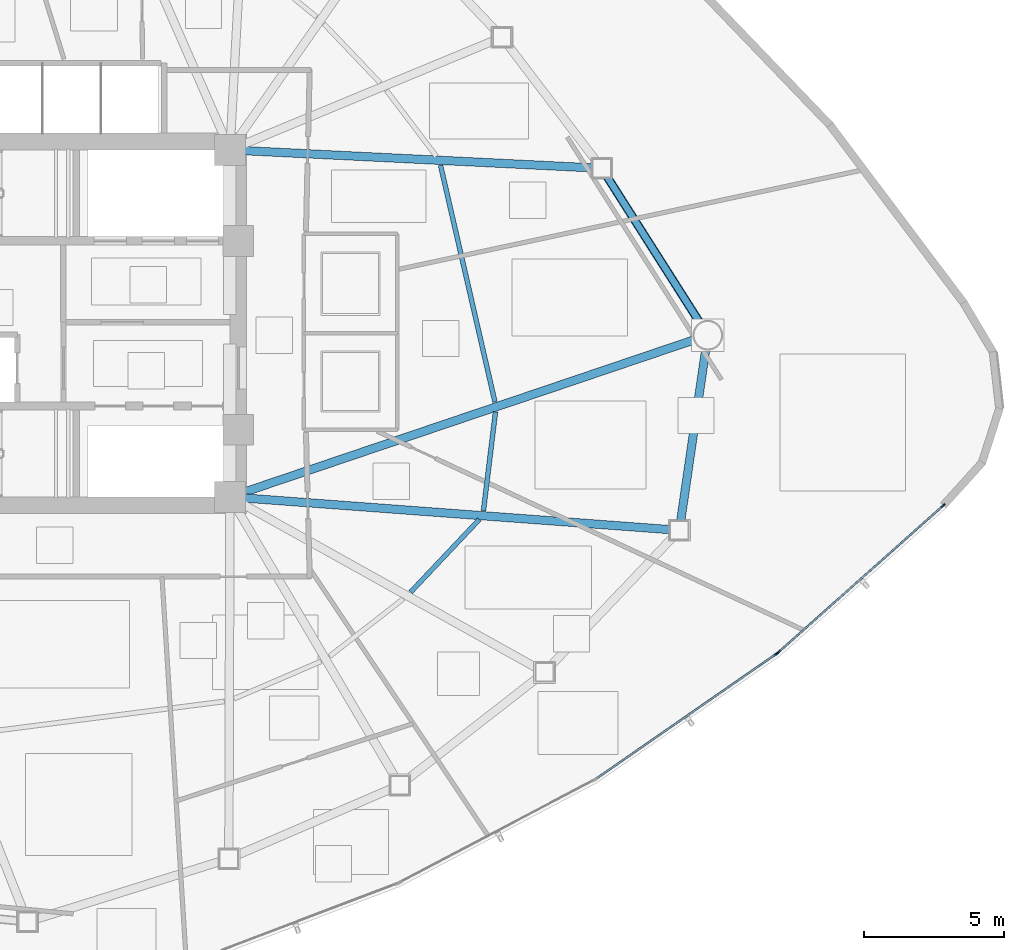
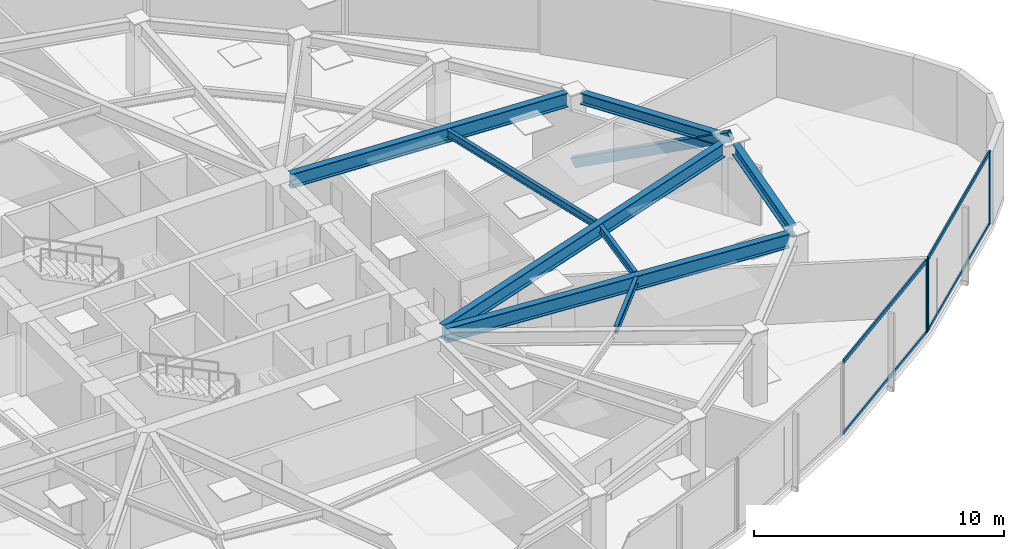
# One storey, part 6 of 17: 8 beams, 8 members, 2 elements without a shape of their own.
"""IFC4 building model written with IfcOpenShell, lengths in metres."""

from ifc_helpers import new_model, si_unit, direction, frame, origin, origin_2d, place, context, subcontext, project, spatial, hollow_rectangle, i_section, extrude, source, transform, mapped, material, layer, layer_set, material_profile, profile_set, type_object, type_shapes, element, aggregate, save


model = new_model("IFC4")

# Units and contexts
model_context = context("Model", 3, precision=1e-05, world=origin(), true_north=direction((0.0, 1.0)))
body_context = subcontext(model_context, "Body", "Model", "MODEL_VIEW")
ifc_project = project(units=[si_unit("LENGTHUNIT", "METRE"), si_unit("AREAUNIT", "SQUARE_METRE"), si_unit("VOLUMEUNIT", "CUBIC_METRE"), si_unit("PLANEANGLEUNIT", "RADIAN"), si_unit("MASSUNIT", "GRAM", prefix="KILO")], contexts=[model_context])

# Site, building, storey
site_placement = place(None, origin())
site = spatial("IfcSite", under=ifc_project, at=site_placement, CompositionType="ELEMENT")
building_placement = place(site_placement, origin())
building = spatial("IfcBuilding", under=site, at=building_placement, Name="Tavelor Broadcast Tower", CompositionType="ELEMENT")
storey_placement = place(building_placement, frame((0.0, 0.0, 134.85009765625)))
storey = spatial("IfcBuildingStorey", under=building, at=storey_placement, Name="L31", CompositionType="ELEMENT", Elevation=134.85009765625)

# Beams
ifc_material_1 = material(Name="Steel S355", Category="steel")
ifc_material_profile_1 = material_profile(ifc_material_1, i_section(OverallWidth=0.169921875, OverallDepth=0.360107421875, WebThickness=0.008056640625, FlangeThickness=0.0126953125, at=origin_2d()), Name="IPE 360")
ifc_profile_set_1 = profile_set([ifc_material_profile_1], Name="Steel S355")
beam_type_1 = type_object("IfcBeamType", Name="Composite Floor Joist T3 IPE 360", PredefinedType="JOIST", material=ifc_profile_set_1)
beam_1_placement = place(storey_placement, frame((63.05859375, 35.39990234375, 3.369873046875), z_axis=(0.686806065531, 0.726840717317, 0.0), x_axis=(-0.726840717317, 0.686806065531, 0.0)))
element("IfcBeam", 1, at=beam_1_placement, inside=storey, type_object=beam_type_1, Name="L31 Secondary Composite Floor Joist 11", PredefinedType="JOIST", context=body_context, shape_type="SweptSolid", body=[
    extrude(i_section(OverallWidth=0.169921875, OverallDepth=0.360107421875, WebThickness=0.008056640625, FlangeThickness=0.0126953125, at=origin_2d()), origin(), (0.0, 0.0, 1.0), 3.573486328125),
])
beam_2_placement = place(storey_placement, frame((65.6591796875, 38.30859375, 3.369873046875), z_axis=(0.120874566199, 0.992667788964, 0.0), x_axis=(-0.992667788964, 0.120874566199, 0.0)))
element("IfcBeam", 2, at=beam_2_placement, inside=storey, type_object=beam_type_1, Name="L31 Secondary Composite Floor Joist 12", PredefinedType="JOIST", context=body_context, shape_type="SweptSolid", body=[
    extrude(i_section(OverallWidth=0.169921875, OverallDepth=0.360107421875, WebThickness=0.008056640625, FlangeThickness=0.0126953125, at=origin_2d()), origin(), (0.0, 0.0, 1.0), 3.556884765625),
])
beam_3_placement = place(storey_placement, frame((66.0703125, 42.1953125, 3.369873046875), z_axis=(-0.224119909946, 0.974561576282, 0.0), x_axis=(-0.974561576282, -0.224119909946, 0.0)))
element("IfcBeam", 3, at=beam_3_placement, inside=storey, type_object=beam_type_1, Name="L31 Secondary Composite Floor Joist 13", PredefinedType="JOIST", context=body_context, shape_type="SweptSolid", body=[
    extrude(i_section(OverallWidth=0.169921875, OverallDepth=0.360107421875, WebThickness=0.008056640625, FlangeThickness=0.0126953125, at=origin_2d()), origin(), (0.0, 0.0, 1.0), 8.6796875),
])
ifc_material_profile_2 = material_profile(ifc_material_1, i_section(OverallWidth=0.300048828125, OverallDepth=0.550048828125, WebThickness=0.014892578125, FlangeThickness=0.029052734375, at=origin_2d()), Name="HEB 550")
ifc_profile_set_2 = profile_set([ifc_material_profile_2], Name="Steel S355")
beam_type_2 = type_object("IfcBeamType", Name="Perimeter Spandrel Beam T3 HEB 550", PredefinedType="SPANDREL", material=ifc_profile_set_2)
beam_4_placement = place(storey_placement, frame((72.707763671875, 37.93994140625, 3.27490234375), z_axis=(0.144294035731, 0.989534856007, 0.0), x_axis=(-0.989534856007, 0.144294035731, 0.0)))
element("IfcBeam", 4, at=beam_4_placement, inside=storey, type_object=beam_type_2, Name="L31 Framed-Tube Ring Spandrel 12", PredefinedType="SPANDREL", context=body_context, shape_type="SweptSolid", body=[
    extrude(i_section(OverallWidth=0.300048828125, OverallDepth=0.550048828125, WebThickness=0.014892578125, FlangeThickness=0.029052734375, at=origin_2d()), origin(), (0.0, 0.0, 1.0), 6.19775390625),
])
beam_5_placement = place(storey_placement, frame((73.4013671875, 45.01171875, 3.27490234375), z_axis=(-0.536283466807, 0.844037939449, 0.0), x_axis=(-0.844037939449, -0.536283466807, 0.0)))
element("IfcBeam", 5, at=beam_5_placement, inside=storey, type_object=beam_type_2, Name="L31 Framed-Tube Ring Spandrel 13", PredefinedType="SPANDREL", context=body_context, shape_type="SweptSolid", body=[
    extrude(i_section(OverallWidth=0.300048828125, OverallDepth=0.550048828125, WebThickness=0.014892578125, FlangeThickness=0.029052734375, at=origin_2d()), origin(), (0.0, 0.0, 1.0), 6.21875),
])

# Member
ifc_material_profile_3 = material_profile(ifc_material_1, hollow_rectangle(XDim=0.25, YDim=0.449951171875, WallThickness=0.02001953125, at=origin_2d()), Name="RHS 450x250x20")
ifc_profile_set_3 = profile_set([ifc_material_profile_3], Name="Steel S355")
member_type_1 = type_object("IfcMemberType", Name="Perimeter Tube Brace T3 RHS 450x250x20", PredefinedType="BRACE", material=ifc_profile_set_3)
member_1_placement = place(storey_placement, frame((69.885986328125, 50.544189453125, 0.0), z_axis=(0.479245396229, -0.754215683798, 0.448868079179), x_axis=(0.844021198089, 0.536309814544, 0.0)))
element("IfcMember", 6, at=member_1_placement, inside=storey, type_object=member_type_1, Name="L31 Corner Tube Diagonal Brace 3", PredefinedType="BRACE", context=body_context, shape_type="SweptSolid", body=[
    extrude(hollow_rectangle(XDim=0.25, YDim=0.449951171875, WallThickness=0.02001953125, at=origin_2d()), origin(), (0.0, 0.0, 1.0), 7.908447265625),
])

# Beams
ifc_material_profile_4 = material_profile(ifc_material_1, i_section(OverallWidth=0.300048828125, OverallDepth=0.68994140625, WebThickness=0.014404296875, FlangeThickness=0.027099609375, at=origin_2d()), Name="HEA 700")
ifc_profile_set_4 = profile_set([ifc_material_profile_4], Name="Steel S355")
beam_type_3 = type_object("IfcBeamType", Name="Radial Floor Girder T3 HEA 700", PredefinedType="BEAM", material=ifc_profile_set_4)
beam_6_placement = place(storey_placement, frame((57.126708984375, 38.760986328125, 3.204833984375), z_axis=(0.997253617312, -0.074062289721, 0.0), x_axis=(0.074062289721, 0.997253617312, 0.0)))
element("IfcBeam", 7, at=beam_6_placement, inside=storey, type_object=beam_type_3, Name="L31 Radial Primary Floor Girder 12", PredefinedType="BEAM", context=body_context, shape_type="SweptSolid", body=[
    extrude(i_section(OverallWidth=0.300048828125, OverallDepth=0.68994140625, WebThickness=0.014404296875, FlangeThickness=0.027099609375, at=origin_2d()), origin(), (0.0, 0.0, 1.0), 15.2392578125),
])
beam_7_placement = place(storey_placement, frame((57.10009765625, 38.96923828125, 3.204833984375), z_axis=(0.947217379582, 0.32059200835, 0.0), x_axis=(-0.32059200835, 0.947217379582, 0.0)))
element("IfcBeam", 8, at=beam_7_placement, inside=storey, type_object=beam_type_3, Name="L31 Radial Primary Floor Girder 13", PredefinedType="BEAM", context=body_context, shape_type="SweptSolid", body=[
    extrude(i_section(OverallWidth=0.300048828125, OverallDepth=0.68994140625, WebThickness=0.014404296875, FlangeThickness=0.027099609375, at=origin_2d()), origin(), (0.0, 0.0, 1.0), 16.987548828125),
])
beam_8_placement = place(storey_placement, frame((57.12744140625, 51.174072265625, 3.204833984375), z_axis=(0.998783710906, -0.04930617435, 0.0), x_axis=(0.04930617435, 0.998783710906, 0.0)))
element("IfcBeam", 9, at=beam_8_placement, inside=storey, type_object=beam_type_3, Name="L31 Radial Primary Floor Girder 14", PredefinedType="BEAM", context=body_context, shape_type="SweptSolid", body=[
    extrude(i_section(OverallWidth=0.300048828125, OverallDepth=0.68994140625, WebThickness=0.014404296875, FlangeThickness=0.027099609375, at=origin_2d()), origin(), (0.0, 0.0, 1.0), 12.438232421875),
])

# Curtain wall, member
ifc_material_2 = material(Name="Architectural Anodized Aluminium", Category="aluminium")
ifc_layer = layer(ifc_material_2, 0.18994140625)
ifc_layer_set = layer_set([ifc_layer], Name="Architectural Anodized Aluminium")
curtain_wall_type = type_object("IfcCurtainWallType", Name="Tower Mid-Zone Acoustic Curtain Wall CW03", PredefinedType="NOTDEFINED", material=ifc_layer_set)
curtain_wall_1_placement = place(storey_placement, origin())
curtain_wall_1 = element("IfcCurtainWall", 10, at=curtain_wall_1_placement, inside=storey, type_object=curtain_wall_type, Name="L31 Curtain Wall CW03 Run 319", PredefinedType="NOTDEFINED")
ifc_material_profile_5 = material_profile(ifc_material_2, hollow_rectangle(XDim=0.068115234375, YDim=0.18994140625, WallThickness=0.02197265625, at=origin_2d()), Name="RHS 68x190x22")
ifc_profile_set_5 = profile_set([ifc_material_profile_5], Name="Architectural Anodized Aluminium")
member_type_2 = type_object("IfcMemberType", Name="CW03 Extruded Aluminium Mullion 68x190", PredefinedType="MULLION", material=ifc_profile_set_5)
shared_shape_1 = source(origin(), body_context, "Body", "SweptSolid", [
    extrude(hollow_rectangle(XDim=0.068115234375, YDim=0.18994140625, WallThickness=0.02197265625, at=origin_2d()), origin(), (0.0, 0.0, 1.0), 3.5498046875),
])
type_shapes(member_type_2, [shared_shape_1])
member_2_placement = place(storey_placement, frame((76.131591796875, 33.19775390625, 0.0), z_axis=(0.0, 0.0, 1.0), x_axis=(-0.56965057087, 0.821886991689, 0.0)))
member_2 = element("IfcMember", 11, at=member_2_placement, type_object=member_type_2, Name="CW03 mullion 2", PredefinedType="MULLION", context=body_context, shape_type="MappedRepresentation", body=[
    mapped(shared_shape_1, transform((0.0, 0.0, 0.0), scale=1.0)),
])

# Curtain wall, members
curtain_wall_2_placement = place(storey_placement, origin())
curtain_wall_2 = element("IfcCurtainWall", 12, at=curtain_wall_2_placement, inside=storey, type_object=curtain_wall_type, Name="L31 Curtain Wall CW03 Run 320", PredefinedType="NOTDEFINED")
member_3_placement = place(storey_placement, frame((76.20849609375, 33.258056640625, 0.0), z_axis=(0.0, 0.0, 1.0), x_axis=(-0.664911320275, 0.746922309327, 0.0)))
member_3 = element("IfcMember", 13, at=member_3_placement, type_object=member_type_2, Name="CW03 mullion 1", PredefinedType="MULLION", context=body_context, shape_type="MappedRepresentation", body=[
    mapped(shared_shape_1, transform((0.0, 0.0, 0.0), scale=1.0)),
])
member_4_placement = place(storey_placement, frame((82.074951171875, 38.48046875, 0.0), z_axis=(0.0, 0.0, 1.0), x_axis=(-0.664911320275, 0.746922309327, 0.0)))
member_4 = element("IfcMember", 14, at=member_4_placement, type_object=member_type_2, Name="CW03 mullion 2", PredefinedType="MULLION", context=body_context, shape_type="MappedRepresentation", body=[
    mapped(shared_shape_1, transform((0.0, 0.0, 0.0), scale=1.0)),
])

# Member
ifc_material_profile_6 = material_profile(ifc_material_2, hollow_rectangle(XDim=0.068115234375, YDim=0.18994140625, WallThickness=0.02197265625, at=origin_2d()), Name="RHS 68x190x22")
ifc_profile_set_6 = profile_set([ifc_material_profile_6], Name="Architectural Anodized Aluminium")
member_type_3 = type_object("IfcMemberType", Name="CW03 Extruded Aluminium Transom 68x190", PredefinedType="USERDEFINED", material=ifc_profile_set_6)
shared_shape_2 = source(origin(), body_context, "Body", "SweptSolid", [
    extrude(hollow_rectangle(XDim=0.068115234375, YDim=0.18994140625, WallThickness=0.02197265625, at=origin_2d()), origin(), (0.0, 0.0, 1.0), 7.77001953125),
])
member_5_placement = place(storey_placement, frame((69.717529296875, 28.751953125, 0.033935546875), z_axis=(0.821878737002, 0.569662480477, 0.0), x_axis=(-0.569662480477, 0.821878737002, 0.0)))
member_5 = element("IfcMember", 15, at=member_5_placement, type_object=member_type_3, Name="CW03 transom 1.1", ObjectType="TRANSOM", PredefinedType="USERDEFINED", context=body_context, shape_type="MappedRepresentation", body=[
    mapped(shared_shape_2, transform((0.0, 0.0, 0.0), scale=1.0)),
])

member_6_placement = place(storey_placement, frame((69.717529296875, 28.751953125, 3.515869140625), z_axis=(0.821878737002, 0.569662480477, 0.0), x_axis=(-0.569662480477, 0.821878737002, 0.0)))
member_6 = element("IfcMember", 16, at=member_6_placement, type_object=member_type_3, Name="CW03 transom 1.2", ObjectType="TRANSOM", PredefinedType="USERDEFINED", context=body_context, shape_type="MappedRepresentation", body=[
    mapped(shared_shape_2, transform((0.0, 0.0, 0.0), scale=1.0)),
])

aggregate(curtain_wall_1, [member_2, member_5, member_6])

shared_shape_3 = source(origin(), body_context, "Body", "SweptSolid", [
    extrude(hollow_rectangle(XDim=0.068115234375, YDim=0.18994140625, WallThickness=0.02197265625, at=origin_2d()), origin(), (0.0, 0.0, 1.0), 7.7861328125),
])
type_shapes(member_type_3, [shared_shape_2, shared_shape_3])
member_7_placement = place(storey_placement, frame((76.23388671875, 33.28076171875, 0.033935546875), z_axis=(0.746929918947, 0.664902771977, 0.0), x_axis=(-0.664902771977, 0.746929918947, 0.0)))
member_7 = element("IfcMember", 17, at=member_7_placement, type_object=member_type_3, Name="CW03 transom 1.1", ObjectType="TRANSOM", PredefinedType="USERDEFINED", context=body_context, shape_type="MappedRepresentation", body=[
    mapped(shared_shape_3, transform((0.0, 0.0, 0.0), scale=1.0)),
])

member_8_placement = place(storey_placement, frame((76.23388671875, 33.28076171875, 3.515869140625), z_axis=(0.746929918947, 0.664902771977, 0.0), x_axis=(-0.664902771977, 0.746929918947, 0.0)))
member_8 = element("IfcMember", 18, at=member_8_placement, type_object=member_type_3, Name="CW03 transom 1.2", ObjectType="TRANSOM", PredefinedType="USERDEFINED", context=body_context, shape_type="MappedRepresentation", body=[
    mapped(shared_shape_3, transform((0.0, 0.0, 0.0), scale=1.0)),
])

aggregate(curtain_wall_2, [member_3, member_4, member_7, member_8])

save(model, "model.ifc")
